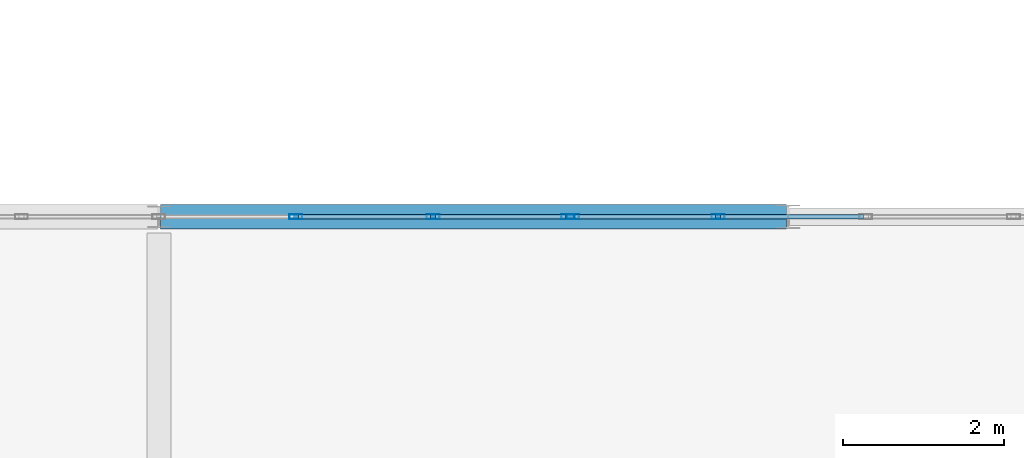
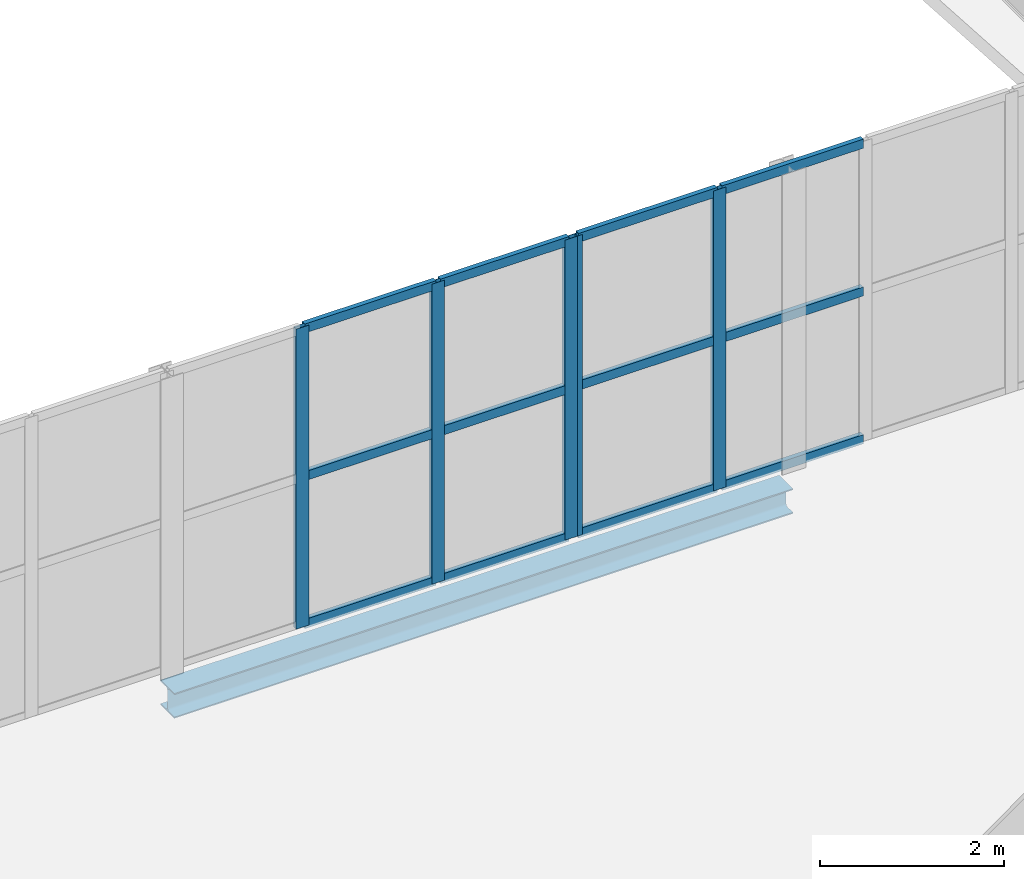
# One storey, part 67 of 138: 17 members, 1 beam, 2 elements without a shape of their own.
"""IFC4 building model written with IfcOpenShell, lengths in metres."""

from ifc_helpers import new_model, si_unit, direction, frame, origin, origin_2d, place, context, subcontext, project, spatial, hollow_rectangle, i_section, extrude, material, layer, layer_set, material_profile, profile_set, type_object, element, aggregate, save


model = new_model("IFC4")

# Units and contexts
model_context = context("Model", 3, precision=1e-05, world=origin(), true_north=direction((0.0, 1.0)))
body_context = subcontext(model_context, "Body", "Model", "MODEL_VIEW")
ifc_project = project(units=[si_unit("LENGTHUNIT", "METRE"), si_unit("AREAUNIT", "SQUARE_METRE"), si_unit("VOLUMEUNIT", "CUBIC_METRE"), si_unit("PLANEANGLEUNIT", "RADIAN"), si_unit("MASSUNIT", "GRAM", prefix="KILO")], contexts=[model_context])

# Site, building, storey
site_placement = place(None, origin())
site = spatial("IfcSite", under=ifc_project, at=site_placement, CompositionType="ELEMENT")
building_placement = place(site_placement, origin())
building = spatial("IfcBuilding", under=site, at=building_placement, Name="Vinh Khe Railworks Police Headquarters", CompositionType="ELEMENT")
storey_placement = place(building_placement, frame((0.0, 0.0, 9.0)))
storey = spatial("IfcBuildingStorey", under=building, at=storey_placement, Name="L02", CompositionType="ELEMENT", Elevation=9.0)

# Curtain wall, members
ifc_material_1 = material(Name="Anodised aluminium and solar-control glass", Category="aluminium")
ifc_layer = layer(ifc_material_1, 0.159912109375)
ifc_layer_set = layer_set([ifc_layer], Name="Anodised aluminium and solar-control glass")
curtain_wall_type = type_object("IfcCurtainWallType", Name="CW-SHOPFRONT", PredefinedType="USERDEFINED", material=ifc_layer_set)
curtain_wall_1_placement = place(storey_placement, origin())
curtain_wall_1 = element("IfcCurtainWall", 1, at=curtain_wall_1_placement, inside=storey, type_object=curtain_wall_type, Name="Link Bridge North Glazing L02 Bay 5", ObjectType="UNITISED GLAZING", PredefinedType="USERDEFINED")
ifc_material_2 = material(Name="Anodised aluminium 6063-T6", Category="aluminium")
ifc_material_profile_1 = material_profile(ifc_material_2, hollow_rectangle(XDim=0.06005859375, YDim=0.159912109375, WallThickness=0.00390625, at=origin_2d()), Name="CW-M 60x160x4")
ifc_profile_set_1 = profile_set([ifc_material_profile_1], Name="Anodised aluminium 6063-T6")
member_type_1 = type_object("IfcMemberType", Name="MULL-CWM-01", PredefinedType="MULLION", material=ifc_profile_set_1)
member_1_placement = place(storey_placement, frame((65.298095703125, 104.39990234375, 0.0), z_axis=(0.0, 0.0, 1.0), x_axis=(0.0, 1.0, 0.0)))
member_1 = element("IfcMember", 2, at=member_1_placement, type_object=member_type_1, Name="CW-03 mullion 4", PredefinedType="MULLION", context=body_context, shape_type="SweptSolid", body=[
    extrude(hollow_rectangle(XDim=0.06005859375, YDim=0.159912109375, WallThickness=0.00390625, at=origin_2d()), origin(), (0.0, 0.0, 1.0), 3.97998046875),
])
member_2_placement = place(storey_placement, frame((66.9990234375, 104.39990234375, 0.0), z_axis=(0.0, 0.0, 1.0), x_axis=(0.0, 1.0, 0.0)))
member_2 = element("IfcMember", 3, at=member_2_placement, type_object=member_type_1, Name="CW-03 mullion 5", PredefinedType="MULLION", context=body_context, shape_type="SweptSolid", body=[
    extrude(hollow_rectangle(XDim=0.06005859375, YDim=0.159912109375, WallThickness=0.00390625, at=origin_2d()), origin(), (0.0, 0.0, 1.0), 3.97998046875),
])
member_3_placement = place(storey_placement, frame((68.669921875, 104.39990234375, 0.0), z_axis=(0.0, 0.0, 1.0), x_axis=(0.0, 1.0, 0.0)))
member_3 = element("IfcMember", 4, at=member_3_placement, type_object=member_type_1, Name="CW-03 mullion 6", PredefinedType="MULLION", context=body_context, shape_type="SweptSolid", body=[
    extrude(hollow_rectangle(XDim=0.06005859375, YDim=0.159912109375, WallThickness=0.00390625, at=origin_2d()), origin(), (0.0, 0.0, 1.0), 3.97998046875),
])

curtain_wall_2_placement = place(storey_placement, origin())
curtain_wall_2 = element("IfcCurtainWall", 5, at=curtain_wall_2_placement, inside=storey, type_object=curtain_wall_type, Name="Link Bridge North Glazing L02 Bay 6", ObjectType="UNITISED GLAZING", PredefinedType="USERDEFINED")
member_4_placement = place(storey_placement, frame((68.72998046875, 104.39990234375, 0.0), z_axis=(0.0, 0.0, 1.0), x_axis=(0.0, 1.0, 0.0)))
member_4 = element("IfcMember", 6, at=member_4_placement, type_object=member_type_1, Name="CW-03 mullion 1", PredefinedType="MULLION", context=body_context, shape_type="SweptSolid", body=[
    extrude(hollow_rectangle(XDim=0.06005859375, YDim=0.159912109375, WallThickness=0.00390625, at=origin_2d()), origin(), (0.0, 0.0, 1.0), 3.97998046875),
])
member_5_placement = place(storey_placement, frame((70.531982421875, 104.39990234375, 0.0), z_axis=(0.0, 0.0, 1.0), x_axis=(0.0, 1.0, 0.0)))
member_5 = element("IfcMember", 7, at=member_5_placement, type_object=member_type_1, Name="CW-03 mullion 2", PredefinedType="MULLION", context=body_context, shape_type="SweptSolid", body=[
    extrude(hollow_rectangle(XDim=0.06005859375, YDim=0.159912109375, WallThickness=0.00390625, at=origin_2d()), origin(), (0.0, 0.0, 1.0), 3.97998046875),
])

# Beam
ifc_material_3 = material(Name="Steel S355JR", Category="steel")
ifc_material_profile_2 = material_profile(ifc_material_3, i_section(OverallWidth=0.300048828125, OverallDepth=0.330078125, WebThickness=0.009521484375, FlangeThickness=0.0166015625, FilletRadius=0.027099609375, at=origin_2d()), Name="HEA 340")
ifc_profile_set_2 = profile_set([ifc_material_profile_2], Name="Steel S355JR")
beam_type = type_object("IfcBeamType", Name="Steel Girder HEA 340", PredefinedType="BEAM", material=ifc_profile_set_2)
beam_placement = place(storey_placement, frame((63.6201171875, 104.39990234375, -0.385009765625), z_axis=(1.0, 0.0, 0.0), x_axis=(0.0, 1.0, 0.0)))
element("IfcBeam", 8, at=beam_placement, inside=storey, type_object=beam_type, Name="Girder BM-L02-EW-SB-16-0824", PredefinedType="BEAM", context=body_context, shape_type="SweptSolid", body=[
    extrude(i_section(OverallWidth=0.300048828125, OverallDepth=0.330078125, WebThickness=0.009521484375, FlangeThickness=0.0166015625, FilletRadius=0.027099609375, at=origin_2d()), origin(), (0.0, 0.0, 1.0), 7.759765625),
])

# Member
ifc_material_profile_3 = material_profile(ifc_material_2, hollow_rectangle(XDim=0.06005859375, YDim=0.1201171875, WallThickness=0.00390625, at=origin_2d()), Name="CW-T 60x120x4")
ifc_profile_set_3 = profile_set([ifc_material_profile_3], Name="Anodised aluminium 6063-T6")
member_type_2 = type_object("IfcMemberType", Name="TRAN-CWT-01", PredefinedType="USERDEFINED", material=ifc_profile_set_3)
member_6_placement = place(storey_placement, frame((65.327880859375, 104.39990234375, 0.030029296875), z_axis=(1.0, 0.0, 0.0), x_axis=(0.0, 1.0, 0.0)))
member_6 = element("IfcMember", 9, at=member_6_placement, type_object=member_type_2, Name="CW-03 transom 4.1", ObjectType="TRANSOM", PredefinedType="USERDEFINED", context=body_context, shape_type="SweptSolid", body=[
    extrude(hollow_rectangle(XDim=0.06005859375, YDim=0.1201171875, WallThickness=0.00390625, at=origin_2d()), origin(), (0.0, 0.0, 1.0), 1.64111328125),
])

member_7_placement = place(storey_placement, frame((65.327880859375, 104.39990234375, 1.989990234375), z_axis=(1.0, 0.0, 0.0), x_axis=(0.0, 1.0, 0.0)))
member_7 = element("IfcMember", 10, at=member_7_placement, type_object=member_type_2, Name="CW-03 transom 4.2", ObjectType="TRANSOM", PredefinedType="USERDEFINED", context=body_context, shape_type="SweptSolid", body=[
    extrude(hollow_rectangle(XDim=0.06005859375, YDim=0.1201171875, WallThickness=0.00390625, at=origin_2d()), origin(), (0.0, 0.0, 1.0), 1.64111328125),
])

member_8_placement = place(storey_placement, frame((65.327880859375, 104.39990234375, 3.949951171875), z_axis=(1.0, 0.0, 0.0), x_axis=(0.0, 1.0, 0.0)))
member_8 = element("IfcMember", 11, at=member_8_placement, type_object=member_type_2, Name="CW-03 transom 4.3", ObjectType="TRANSOM", PredefinedType="USERDEFINED", context=body_context, shape_type="SweptSolid", body=[
    extrude(hollow_rectangle(XDim=0.06005859375, YDim=0.1201171875, WallThickness=0.00390625, at=origin_2d()), origin(), (0.0, 0.0, 1.0), 1.64111328125),
])

member_9_placement = place(storey_placement, frame((67.029052734375, 104.39990234375, 0.030029296875), z_axis=(1.0, 0.0, 0.0), x_axis=(0.0, 1.0, 0.0)))
member_9 = element("IfcMember", 12, at=member_9_placement, type_object=member_type_2, Name="CW-03 transom 5.1", ObjectType="TRANSOM", PredefinedType="USERDEFINED", context=body_context, shape_type="SweptSolid", body=[
    extrude(hollow_rectangle(XDim=0.06005859375, YDim=0.1201171875, WallThickness=0.00390625, at=origin_2d()), origin(), (0.0, 0.0, 1.0), 1.61083984375),
])

member_10_placement = place(storey_placement, frame((67.029052734375, 104.39990234375, 1.989990234375), z_axis=(1.0, 0.0, 0.0), x_axis=(0.0, 1.0, 0.0)))
member_10 = element("IfcMember", 13, at=member_10_placement, type_object=member_type_2, Name="CW-03 transom 5.2", ObjectType="TRANSOM", PredefinedType="USERDEFINED", context=body_context, shape_type="SweptSolid", body=[
    extrude(hollow_rectangle(XDim=0.06005859375, YDim=0.1201171875, WallThickness=0.00390625, at=origin_2d()), origin(), (0.0, 0.0, 1.0), 1.61083984375),
])

member_11_placement = place(storey_placement, frame((67.029052734375, 104.39990234375, 3.949951171875), z_axis=(1.0, 0.0, 0.0), x_axis=(0.0, 1.0, 0.0)))
member_11 = element("IfcMember", 14, at=member_11_placement, type_object=member_type_2, Name="CW-03 transom 5.3", ObjectType="TRANSOM", PredefinedType="USERDEFINED", context=body_context, shape_type="SweptSolid", body=[
    extrude(hollow_rectangle(XDim=0.06005859375, YDim=0.1201171875, WallThickness=0.00390625, at=origin_2d()), origin(), (0.0, 0.0, 1.0), 1.61083984375),
])

aggregate(curtain_wall_1, [member_1, member_2, member_3, member_6, member_7, member_8, member_9, member_10, member_11])

member_12_placement = place(storey_placement, frame((68.760009765625, 104.39990234375, 0.030029296875), z_axis=(1.0, 0.0, 0.0), x_axis=(0.0, 1.0, 0.0)))
member_12 = element("IfcMember", 15, at=member_12_placement, type_object=member_type_2, Name="CW-03 transom 1.1", ObjectType="TRANSOM", PredefinedType="USERDEFINED", context=body_context, shape_type="SweptSolid", body=[
    extrude(hollow_rectangle(XDim=0.06005859375, YDim=0.1201171875, WallThickness=0.00390625, at=origin_2d()), origin(), (0.0, 0.0, 1.0), 1.741943359375),
])

member_13_placement = place(storey_placement, frame((68.760009765625, 104.39990234375, 1.989990234375), z_axis=(1.0, 0.0, 0.0), x_axis=(0.0, 1.0, 0.0)))
member_13 = element("IfcMember", 16, at=member_13_placement, type_object=member_type_2, Name="CW-03 transom 1.2", ObjectType="TRANSOM", PredefinedType="USERDEFINED", context=body_context, shape_type="SweptSolid", body=[
    extrude(hollow_rectangle(XDim=0.06005859375, YDim=0.1201171875, WallThickness=0.00390625, at=origin_2d()), origin(), (0.0, 0.0, 1.0), 1.741943359375),
])

member_14_placement = place(storey_placement, frame((68.760009765625, 104.39990234375, 3.949951171875), z_axis=(1.0, 0.0, 0.0), x_axis=(0.0, 1.0, 0.0)))
member_14 = element("IfcMember", 17, at=member_14_placement, type_object=member_type_2, Name="CW-03 transom 1.3", ObjectType="TRANSOM", PredefinedType="USERDEFINED", context=body_context, shape_type="SweptSolid", body=[
    extrude(hollow_rectangle(XDim=0.06005859375, YDim=0.1201171875, WallThickness=0.00390625, at=origin_2d()), origin(), (0.0, 0.0, 1.0), 1.741943359375),
])

member_15_placement = place(storey_placement, frame((70.56201171875, 104.39990234375, 0.030029296875), z_axis=(1.0, 0.0, 0.0), x_axis=(0.0, 1.0, 0.0)))
member_15 = element("IfcMember", 18, at=member_15_placement, type_object=member_type_2, Name="CW-03 transom 2.1", ObjectType="TRANSOM", PredefinedType="USERDEFINED", context=body_context, shape_type="SweptSolid", body=[
    extrude(hollow_rectangle(XDim=0.06005859375, YDim=0.1201171875, WallThickness=0.00390625, at=origin_2d()), origin(), (0.0, 0.0, 1.0), 1.77197265625),
])

member_16_placement = place(storey_placement, frame((70.56201171875, 104.39990234375, 1.989990234375), z_axis=(1.0, 0.0, 0.0), x_axis=(0.0, 1.0, 0.0)))
member_16 = element("IfcMember", 19, at=member_16_placement, type_object=member_type_2, Name="CW-03 transom 2.2", ObjectType="TRANSOM", PredefinedType="USERDEFINED", context=body_context, shape_type="SweptSolid", body=[
    extrude(hollow_rectangle(XDim=0.06005859375, YDim=0.1201171875, WallThickness=0.00390625, at=origin_2d()), origin(), (0.0, 0.0, 1.0), 1.77197265625),
])

member_17_placement = place(storey_placement, frame((70.56201171875, 104.39990234375, 3.949951171875), z_axis=(1.0, 0.0, 0.0), x_axis=(0.0, 1.0, 0.0)))
member_17 = element("IfcMember", 20, at=member_17_placement, type_object=member_type_2, Name="CW-03 transom 2.3", ObjectType="TRANSOM", PredefinedType="USERDEFINED", context=body_context, shape_type="SweptSolid", body=[
    extrude(hollow_rectangle(XDim=0.06005859375, YDim=0.1201171875, WallThickness=0.00390625, at=origin_2d()), origin(), (0.0, 0.0, 1.0), 1.77197265625),
])

aggregate(curtain_wall_2, [member_4, member_5, member_12, member_13, member_14, member_15, member_16, member_17])

save(model, "model.ifc")
